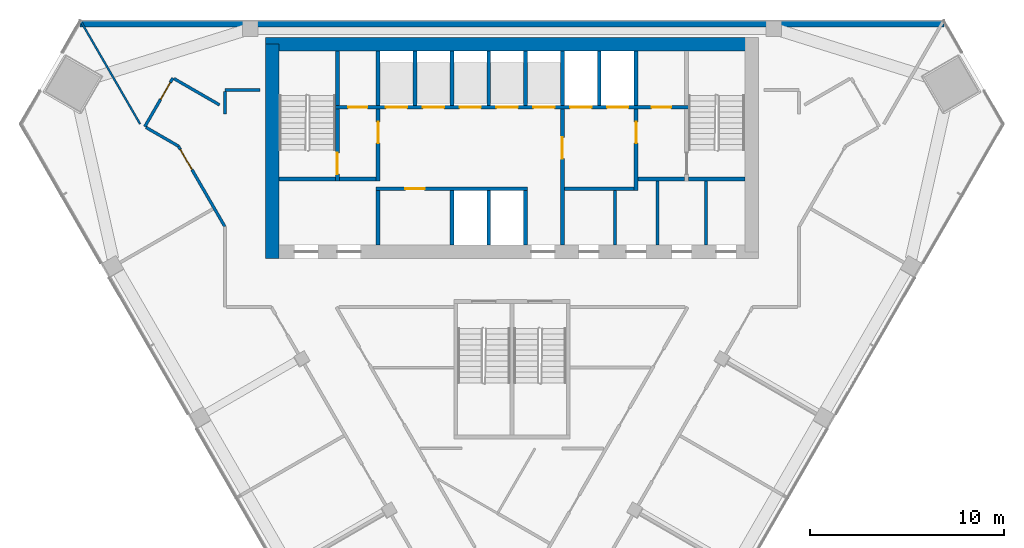
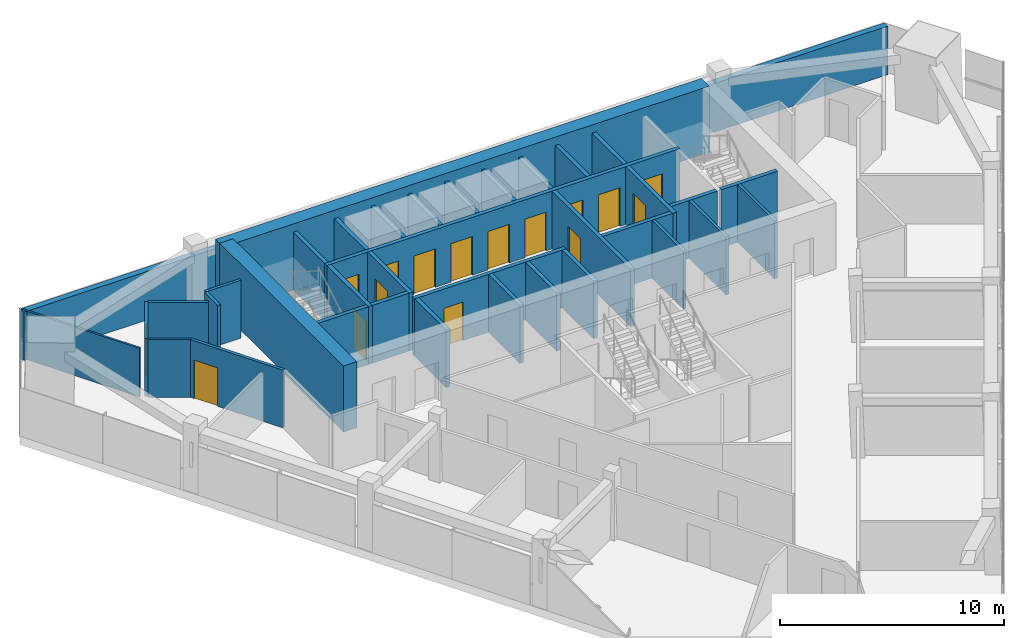
# One storey, part 9 of 12: 37 walls, 16 doors, 16 openings.
"""IFC4 building model written with IfcOpenShell, lengths in metres."""

from ifc_helpers import new_model, si_unit, direction, frame, frame_2d, origin, place, context, subcontext, project, spatial, rectangle, extrude, material, layer, layer_set, type_object, element, fill, save


model = new_model("IFC4")

# Units and contexts
model_context = context("Model", 3, precision=1e-05, world=origin(), true_north=direction((0.0, 1.0)))
body_context = subcontext(model_context, "Body", "Model", "MODEL_VIEW")
ifc_project = project(units=[si_unit("LENGTHUNIT", "METRE"), si_unit("AREAUNIT", "SQUARE_METRE"), si_unit("VOLUMEUNIT", "CUBIC_METRE"), si_unit("PLANEANGLEUNIT", "RADIAN"), si_unit("MASSUNIT", "GRAM", prefix="KILO")], contexts=[model_context])

# Site, building, storey
site_placement = place(None, origin())
site = spatial("IfcSite", under=ifc_project, at=site_placement, CompositionType="ELEMENT")
building_placement = place(site_placement, origin())
building = spatial("IfcBuilding", under=site, at=building_placement, Name="Altiplano Prism Tower", CompositionType="ELEMENT")
storey_placement = place(building_placement, frame((0.0, 0.0, 205.199951171875)))
storey = spatial("IfcBuildingStorey", under=building, at=storey_placement, Name="L53", CompositionType="ELEMENT", Elevation=205.199951171875)

# Walls
ifc_material_1 = material(Name="Concrete C60/75", Category="concrete")
ifc_layer_1 = layer(ifc_material_1, 0.699951171875)
ifc_layer_set_1 = layer_set([ifc_layer_1], Name="Concrete C60/75")
wall_type_1 = type_object("IfcWallType", Name="Core wall 700", PredefinedType="SHEAR", material=ifc_layer_set_1)
wall_1_placement = place(storey_placement, frame((97.35009765625, 103.75, 0.0), z_axis=(0.0, 0.0, 1.0), x_axis=(-1.0, 0.0, 0.0)))
element("IfcWall", 1, at=wall_1_placement, inside=storey, type_object=wall_type_1, Name="Core wall N L53", PredefinedType="SHEAR", context=body_context, shape_type="SweptSolid", body=[
    extrude(rectangle(XDim=25.050048828125, YDim=0.699951171875, at=frame_2d((12.52490234375, 0.0))), origin(), (0.0, 0.0, 1.0), 3.60009765625),
])
wall_2_placement = place(storey_placement, frame((72.64990234375, 103.75, 0.0), z_axis=(0.0, 0.0, 1.0), x_axis=(0.0, -1.0, 0.0)))
element("IfcWall", 2, at=wall_2_placement, inside=storey, type_object=wall_type_1, Name="Core wall W L53", PredefinedType="SHEAR", context=body_context, shape_type="SweptSolid", body=[
    extrude(rectangle(XDim=11.050048828125, YDim=0.699951171875, at=frame_2d((5.52490234375, 0.0))), origin(), (0.0, 0.0, 1.0), 3.60009765625),
])
ifc_material_2 = material(Name="Plasterboard on steel stud", Category="steel")
ifc_layer_2 = layer(ifc_material_2, 0.10009765625)
ifc_layer_set_2 = layer_set([ifc_layer_2], Name="Plasterboard on steel stud")
wall_type_2 = type_object("IfcWallType", Name="Partition 100 wet", PredefinedType="PARTITIONING", material=ifc_layer_set_2)
wall_3_placement = place(storey_placement, frame((65.830810546875, 99.639404296875, 0.0), z_axis=(0.0, 0.0, 1.0), x_axis=(-0.499994988479, 0.866028297168, 0.0)))
element("IfcWall", 3, at=wall_3_placement, inside=storey, type_object=wall_type_2, Name="Partition P03 L53 031", PredefinedType="PARTITIONING", context=body_context, shape_type="SweptSolid", body=[
    extrude(rectangle(XDim=6.07421875, YDim=0.10009765625, at=frame_2d((3.037109375, 0.0))), origin(), (0.0, 0.0, 1.0), 2.650146484375),
])
ifc_layer_3 = layer(ifc_material_2, 0.14990234375)
ifc_layer_set_3 = layer_set([ifc_layer_3], Name="Plasterboard on steel stud")
wall_type_3 = type_object("IfcWallType", Name="Partition 150 corridor", PredefinedType="PARTITIONING", material=ifc_layer_set_3)
wall_4_placement = place(storey_placement, frame((66.13720703125, 99.46240234375, 0.0), z_axis=(0.0, 0.0, 1.0), x_axis=(0.866033512162, -0.499985955615, 0.0)))
element("IfcWall", 4, at=wall_4_placement, inside=storey, type_object=wall_type_3, Name="Partition P06 L53 002", PredefinedType="PARTITIONING", context=body_context, shape_type="SweptSolid", body=[
    extrude(rectangle(XDim=1.9248046875, YDim=0.14990234375, at=frame_2d((0.96240234375, 0.0))), origin(), (0.0, 0.0, 1.0), 3.150146484375),
])

# Wall, opening, door
wall_5_placement = place(storey_placement, frame((67.80419921875, 98.5, 0.0), z_axis=(0.0, 0.0, 1.0), x_axis=(0.499991496398, -0.866030313286, 0.0)))
wall_5 = element("IfcWall", 5, at=wall_5_placement, inside=storey, type_object=wall_type_3, Name="Partition P06 L53 003", PredefinedType="PARTITIONING", context=body_context, shape_type="SweptSolid", body=[
    extrude(rectangle(XDim=4.79150390625, YDim=0.14990234375, at=frame_2d((2.395751953125, 0.0))), origin(), (0.0, 0.0, 1.0), 3.150146484375),
])
opening_1_placement = place(wall_5_placement, frame((0.199951171875, 0.0, 0.0)))
opening_1 = element("IfcOpeningElement", 6, at=opening_1_placement, cuts=wall_5, Name="Opening D1833", PredefinedType="OPENING", context=body_context, shape_type="SweptSolid", body=[
    extrude(rectangle(XDim=1.199951171875, YDim=2.10009765625, at=frame_2d((0.60009765625, 1.050048828125))), frame((0.0, 0.08544921875, 0.0), z_axis=(0.0, -1.0, 0.0), x_axis=(1.0, 0.0, 0.0)), (0.0, 0.0, 1.0), 0.1708984375),
])
ifc_material_3 = material(Name="Timber", Category="wood")
door_type_1 = type_object("IfcDoorType", Name="Shared room door 1200 x 2100", OperationType="NOTDEFINED", PredefinedType="NOTDEFINED", material=ifc_material_3)
door_1_placement = place(opening_1_placement, origin())
door_1 = element("IfcDoor", 7, at=door_1_placement, inside=storey, type_object=door_type_1, Name="Door D1833", OperationType="SINGLE_SWING_LEFT", OverallHeight=2.10009765625, OverallWidth=1.199951171875, PredefinedType="NOTDEFINED", context=body_context, shape_type="SweptSolid", body=[
    extrude(rectangle(XDim=1.199951171875, YDim=2.10009765625, at=frame_2d((0.60009765625, 1.050048828125))), frame((0.0, 0.02490234375, 0.0), z_axis=(0.0, -1.0, 0.0), x_axis=(1.0, 0.0, 0.0)), (0.0, 0.0, 1.0), 0.050048828125),
])
fill(opening_1, door_1)

# Walls
wall_6_placement = place(storey_placement, frame((72.0, 101.39990234375, 0.0), z_axis=(0.0, 0.0, 1.0), x_axis=(-1.0, 0.0, 0.0)))
element("IfcWall", 8, at=wall_6_placement, inside=storey, type_object=wall_type_3, Name="Partition P06 L53 012", PredefinedType="PARTITIONING", context=body_context, shape_type="SweptSolid", body=[
    extrude(rectangle(XDim=1.800048828125, YDim=0.14990234375, at=frame_2d((0.89990234375, 0.0))), origin(), (0.0, 0.0, 1.0), 3.150146484375),
])
wall_7_placement = place(storey_placement, frame((70.199951171875, 101.324951171875, 0.0), z_axis=(0.0, 0.0, 1.0), x_axis=(0.0, -1.0, 0.0)))
element("IfcWall", 9, at=wall_7_placement, inside=storey, type_object=wall_type_3, Name="Partition P06 L53 013", PredefinedType="PARTITIONING", context=body_context, shape_type="SweptSolid", body=[
    extrude(rectangle(XDim=1.174560546875, YDim=0.14990234375, at=frame_2d((0.58740234375, 0.0))), origin(), (0.0, 0.0, 1.0), 3.150146484375),
])
wall_8_placement = place(storey_placement, frame((69.92724609375, 100.623046875, 0.0), z_axis=(0.0, 0.0, 1.0), x_axis=(-0.866060705498, 0.499938850654, 0.0)))
element("IfcWall", 10, at=wall_8_placement, inside=storey, type_object=wall_type_3, Name="Partition P06 L53 014", PredefinedType="PARTITIONING", context=body_context, shape_type="SweptSolid", body=[
    extrude(rectangle(XDim=2.701904296875, YDim=0.14990234375, at=frame_2d((1.35107421875, 0.0))), origin(), (0.0, 0.0, 1.0), 3.150146484375),
])

# Wall, opening, door
wall_9_placement = place(storey_placement, frame((67.522216796875, 102.011474609375, 0.0), z_axis=(0.0, 0.0, 1.0), x_axis=(-0.499987231761, -0.866032775405, 0.0)))
wall_9 = element("IfcWall", 11, at=wall_9_placement, inside=storey, type_object=wall_type_3, Name="Partition P06 L53 015", PredefinedType="PARTITIONING", context=body_context, shape_type="SweptSolid", body=[
    extrude(rectangle(XDim=2.89990234375, YDim=0.14990234375, at=frame_2d((1.449951171875, 0.0))), origin(), (0.0, 0.0, 1.0), 3.150146484375),
])
opening_2_placement = place(wall_9_placement, frame((0.26904296875, 0.0, 0.0)))
opening_2 = element("IfcOpeningElement", 12, at=opening_2_placement, cuts=wall_9, Name="Opening D1844", PredefinedType="OPENING", context=body_context, shape_type="SweptSolid", body=[
    extrude(rectangle(XDim=1.0, YDim=2.10009765625, at=frame_2d((0.5, 1.050048828125))), frame((0.0, 0.08544921875, 0.0), z_axis=(0.0, -1.0, 0.0), x_axis=(1.0, 0.0, 0.0)), (0.0, 0.0, 1.0), 0.1708984375),
])
door_type_2 = type_object("IfcDoorType", Name="Room door 1000 x 2100", OperationType="NOTDEFINED", PredefinedType="NOTDEFINED", material=ifc_material_3)
door_2_placement = place(opening_2_placement, origin())
door_2 = element("IfcDoor", 13, at=door_2_placement, inside=storey, type_object=door_type_2, Name="Door D1844", OperationType="SINGLE_SWING_LEFT", OverallHeight=2.10009765625, OverallWidth=1.0, PredefinedType="NOTDEFINED", context=body_context, shape_type="SweptSolid", body=[
    extrude(rectangle(XDim=1.0, YDim=2.10009765625, at=frame_2d((0.5, 1.050048828125))), frame((0.0, 0.02490234375, 0.0), z_axis=(0.0, -1.0, 0.0), x_axis=(1.0, 0.0, 0.0)), (0.0, 0.0, 1.0), 0.050048828125),
])
fill(opening_2, door_2)

# Walls
ifc_material_4 = material(Name="Fire-rated gypsum board partition")
ifc_layer_4 = layer(ifc_material_4, 0.14990234375)
ifc_layer_set_4 = layer_set([ifc_layer_4], Name="Fire-rated gypsum board partition")
wall_type_4 = type_object("IfcWallType", Name="Room partition 150", PredefinedType="PARTITIONING", material=ifc_layer_set_4)
wall_10_placement = place(storey_placement, frame((90.300048828125, 93.39990234375, 0.0), z_axis=(0.0, 0.0, 1.0), x_axis=(0.0, 1.0, 0.0)))
element("IfcWall", 14, at=wall_10_placement, inside=storey, type_object=wall_type_4, Name="Room partition L53", PredefinedType="PARTITIONING", context=body_context, shape_type="SweptSolid", body=[
    extrude(rectangle(XDim=2.800048828125, YDim=0.14990234375, at=frame_2d((1.39990234375, 0.0))), origin(), (0.0, 0.0, 1.0), 3.150146484375),
])
for number, where, z_axis, x_axis, name in (
    (15, (92.5, 93.39990234375, 0.0), (0.0, 0.0, 1.0), (0.0, 1.0, 0.0), "Room partition L53"),
    (16, (95.0, 93.39990234375, 0.0), (0.0, 0.0, 1.0), (0.0, 1.0, 0.0), "Room partition L53"),
):
    element("IfcWall", number, at=place(storey_placement, frame(where, z_axis=z_axis, x_axis=x_axis)), inside=storey, type_object=wall_type_4, Name=name, PredefinedType="PARTITIONING", context=body_context, shape_type="SweptSolid", body=[
        extrude(rectangle(XDim=3.300048828125, YDim=0.14990234375, at=frame_2d((1.64990234375, 0.0))), origin(), (0.0, 0.0, 1.0), 3.150146484375),
    ])
ifc_layer_5 = layer(ifc_material_1, 0.199951171875)
ifc_layer_set_5 = layer_set([ifc_layer_5], Name="Concrete C60/75")
wall_type_5 = type_object("IfcWallType", Name="Shaft wall 200", PredefinedType="SOLIDWALL", material=ifc_layer_set_5)
for number, where, z_axis, x_axis, name in (
    (17, (81.89990234375, 93.39990234375, 0.0), (0.0, 0.0, 1.0), (0.0, 1.0, 0.0), "Shaft wall L53"),
    (18, (83.800048828125, 93.39990234375, 0.0), (0.0, 0.0, 1.0), (0.0, 1.0, 0.0), "Shaft wall L53"),
    (19, (85.699951171875, 93.39990234375, 0.0), (0.0, 0.0, 1.0), (0.0, 1.0, 0.0), "Shaft wall L53"),
):
    element("IfcWall", number, at=place(storey_placement, frame(where, z_axis=z_axis, x_axis=x_axis)), inside=storey, type_object=wall_type_5, Name=name, PredefinedType="SOLIDWALL", context=body_context, shape_type="SweptSolid", body=[
        extrude(rectangle(XDim=2.800048828125, YDim=0.199951171875, at=frame_2d((1.39990234375, 0.0))), origin(), (0.0, 0.0, 1.0), 3.150146484375),
    ])

# Wall, opening, door
wall_11_placement = place(storey_placement, frame((78.0, 96.300048828125, 0.0), z_axis=(0.0, 0.0, 1.0), x_axis=(1.0, 0.0, 0.0)))
wall_11 = element("IfcWall", 20, at=wall_11_placement, inside=storey, type_object=wall_type_5, Name="Shaft wall L53", PredefinedType="SOLIDWALL", context=body_context, shape_type="SweptSolid", body=[
    extrude(rectangle(XDim=7.800048828125, YDim=0.199951171875, at=frame_2d((3.89990234375, 0.0))), origin(), (0.0, 0.0, 1.0), 3.150146484375),
])
opening_3_placement = place(wall_11_placement, frame((1.5, 0.0, 0.0)))
opening_3 = element("IfcOpeningElement", 21, at=opening_3_placement, cuts=wall_11, Name="Opening D3326", PredefinedType="OPENING", context=body_context, shape_type="SweptSolid", body=[
    extrude(rectangle(XDim=1.0, YDim=2.10009765625, at=frame_2d((0.5, 1.050048828125))), frame((0.0, 0.1103515625, 0.0), z_axis=(0.0, -1.0, 0.0), x_axis=(1.0, 0.0, 0.0)), (0.0, 0.0, 1.0), 0.220947265625),
])
ifc_material_5 = material(Name="Fire-rated steel door", Category="steel")
door_type_3 = type_object("IfcDoorType", Name="Core room door 1000 x 2100", OperationType="NOTDEFINED", PredefinedType="NOTDEFINED", material=ifc_material_5)
door_3_placement = place(opening_3_placement, origin())
door_3 = element("IfcDoor", 22, at=door_3_placement, inside=storey, type_object=door_type_3, Name="Core room door D3326", OperationType="SINGLE_SWING_RIGHT", OverallHeight=2.10009765625, OverallWidth=1.0, PredefinedType="NOTDEFINED", context=body_context, shape_type="SweptSolid", body=[
    extrude(rectangle(XDim=1.0, YDim=2.10009765625, at=frame_2d((0.5, 1.050048828125))), frame((0.0, 0.02490234375, 0.0), z_axis=(0.0, -1.0, 0.0), x_axis=(1.0, 0.0, 0.0)), (0.0, 0.0, 1.0), 0.050048828125),
])
fill(opening_3, door_3)

# Walls
for number, where, z_axis, x_axis, name in (
    (23, (78.10009765625, 100.60009765625, 0.0), (0.0, 0.0, 1.0), (0.0, 1.0, 0.0), "Shaft wall L53"),
    (24, (80.0, 100.60009765625, 0.0), (0.0, 0.0, 1.0), (0.0, 1.0, 0.0), "Shaft wall L53"),
    (25, (81.89990234375, 100.60009765625, 0.0), (0.0, 0.0, 1.0), (0.0, 1.0, 0.0), "Shaft wall L53"),
    (26, (83.800048828125, 100.60009765625, 0.0), (0.0, 0.0, 1.0), (0.0, 1.0, 0.0), "Shaft wall L53"),
    (27, (85.699951171875, 100.60009765625, 0.0), (0.0, 0.0, 1.0), (0.0, 1.0, 0.0), "Shaft wall L53"),
    (28, (87.60009765625, 100.60009765625, 0.0), (0.0, 0.0, 1.0), (0.0, 1.0, 0.0), "Shaft wall L53"),
    (29, (89.5, 100.60009765625, 0.0), (0.0, 0.0, 1.0), (0.0, 1.0, 0.0), "Shaft wall L53"),
    (30, (91.39990234375, 100.60009765625, 0.0), (0.0, 0.0, 1.0), (0.0, 1.0, 0.0), "Shaft wall L53"),
):
    element("IfcWall", number, at=place(storey_placement, frame(where, z_axis=z_axis, x_axis=x_axis)), inside=storey, type_object=wall_type_5, Name=name, PredefinedType="SOLIDWALL", context=body_context, shape_type="SweptSolid", body=[
        extrude(rectangle(XDim=2.7998046875, YDim=0.199951171875, at=frame_2d((1.39990234375, 0.0))), origin(), (0.0, 0.0, 1.0), 3.150146484375),
    ])
ifc_layer_6 = layer(ifc_material_1, 0.199951171875)
ifc_layer_set_6 = layer_set([ifc_layer_6], Name="Concrete C60/75")
wall_type_6 = type_object("IfcWallType", Name="Stair wall 200", PredefinedType="SOLIDWALL", material=ifc_layer_set_6)
wall_12_placement = place(storey_placement, frame((73.0, 96.800048828125, 0.0), z_axis=(0.0, 0.0, 1.0), x_axis=(1.0, 0.0, 0.0)))
element("IfcWall", 31, at=wall_12_placement, inside=storey, type_object=wall_type_6, Name="Stair wall L53", PredefinedType="SOLIDWALL", context=body_context, shape_type="SweptSolid", body=[
    extrude(rectangle(XDim=2.89990234375, YDim=0.199951171875, at=frame_2d((1.449951171875, 0.0))), origin(), (0.0, 0.0, 1.0), 3.150146484375),
])

# Wall, opening, door
wall_13_placement = place(storey_placement, frame((76.0, 96.699951171875, 0.0), z_axis=(0.0, 0.0, 1.0), x_axis=(0.0, 1.0, 0.0)))
wall_13 = element("IfcWall", 32, at=wall_13_placement, inside=storey, type_object=wall_type_6, Name="Stair wall L53", PredefinedType="SOLIDWALL", context=body_context, shape_type="SweptSolid", body=[
    extrude(rectangle(XDim=3.699951171875, YDim=0.199951171875, at=frame_2d((1.85009765625, 0.0))), origin(), (0.0, 0.0, 1.0), 3.150146484375),
])
opening_4_placement = place(wall_13_placement, frame((0.35009765625, 0.0, 0.0)))
opening_4 = element("IfcOpeningElement", 33, at=opening_4_placement, cuts=wall_13, Name="Opening D3312", PredefinedType="OPENING", context=body_context, shape_type="SweptSolid", body=[
    extrude(rectangle(XDim=1.10009765625, YDim=2.10009765625, at=frame_2d((0.550048828125, 1.050048828125))), frame((0.0, 0.1103515625, 0.0), z_axis=(0.0, -1.0, 0.0), x_axis=(1.0, 0.0, 0.0)), (0.0, 0.0, 1.0), 0.220947265625),
])
door_type_4 = type_object("IfcDoorType", Name="Stair fire door 1100 x 2100", OperationType="NOTDEFINED", PredefinedType="NOTDEFINED", material=ifc_material_5)
door_4_placement = place(opening_4_placement, origin())
door_4 = element("IfcDoor", 34, at=door_4_placement, inside=storey, type_object=door_type_4, Name="Stair fire door D3312", OperationType="SINGLE_SWING_RIGHT", OverallHeight=2.10009765625, OverallWidth=1.10009765625, PredefinedType="NOTDEFINED", context=body_context, shape_type="SweptSolid", body=[
    extrude(rectangle(XDim=1.10009765625, YDim=2.10009765625, at=frame_2d((0.550048828125, 1.050048828125))), frame((0.0, 0.02490234375, 0.0), z_axis=(0.0, -1.0, 0.0), x_axis=(1.0, 0.0, 0.0)), (0.0, 0.0, 1.0), 0.050048828125),
])
fill(opening_4, door_4)

# Wall
wall_14_placement = place(storey_placement, frame((94.10009765625, 96.800048828125, 0.0), z_axis=(0.0, 0.0, 1.0), x_axis=(1.0, 0.0, 0.0)))
element("IfcWall", 35, at=wall_14_placement, inside=storey, type_object=wall_type_6, Name="Stair wall L53", PredefinedType="SOLIDWALL", context=body_context, shape_type="SweptSolid", body=[
    extrude(rectangle(XDim=2.89990234375, YDim=0.199951171875, at=frame_2d((1.449951171875, 0.0))), origin(), (0.0, 0.0, 1.0), 3.150146484375),
])

# Wall, openings, doors
wall_15_placement = place(storey_placement, frame((75.89990234375, 100.5, 0.0), z_axis=(0.0, 0.0, 1.0), x_axis=(1.0, 0.0, 0.0)))
wall_15 = element("IfcWall", 36, at=wall_15_placement, inside=storey, type_object=wall_type_6, Name="Stair wall L53", PredefinedType="SOLIDWALL", context=body_context, shape_type="SweptSolid", body=[
    extrude(rectangle(XDim=18.2001953125, YDim=0.199951171875, at=frame_2d((9.10009765625, 0.0))), origin(), (0.0, 0.0, 1.0), 3.150146484375),
])
opening_5_placement = place(wall_15_placement, frame((2.60009765625, 0.0, 0.0)))
opening_5 = element("IfcOpeningElement", 37, at=opening_5_placement, cuts=wall_15, Name="Opening LD-ML1-L53", PredefinedType="OPENING", context=body_context, shape_type="SweptSolid", body=[
    extrude(rectangle(XDim=1.10009765625, YDim=2.10009765625, at=frame_2d((0.550048828125, 1.050048828125))), frame((0.0, 0.1103515625, 0.0), z_axis=(0.0, -1.0, 0.0), x_axis=(1.0, 0.0, 0.0)), (0.0, 0.0, 1.0), 0.220947265625),
])
opening_6_placement = place(wall_15_placement, frame((4.5, 0.0, 0.0)))
opening_6 = element("IfcOpeningElement", 38, at=opening_6_placement, cuts=wall_15, Name="Opening LD-ML2-L53", PredefinedType="OPENING", context=body_context, shape_type="SweptSolid", body=[
    extrude(rectangle(XDim=1.10009765625, YDim=2.10009765625, at=frame_2d((0.550048828125, 1.050048828125))), frame((0.0, 0.1103515625, 0.0), z_axis=(0.0, -1.0, 0.0), x_axis=(1.0, 0.0, 0.0)), (0.0, 0.0, 1.0), 0.220947265625),
])
opening_7_placement = place(wall_15_placement, frame((6.39990234375, 0.0, 0.0)))
opening_7 = element("IfcOpeningElement", 39, at=opening_7_placement, cuts=wall_15, Name="Opening LD-ML3-L53", PredefinedType="OPENING", context=body_context, shape_type="SweptSolid", body=[
    extrude(rectangle(XDim=1.10009765625, YDim=2.10009765625, at=frame_2d((0.550048828125, 1.050048828125))), frame((0.0, 0.1103515625, 0.0), z_axis=(0.0, -1.0, 0.0), x_axis=(1.0, 0.0, 0.0)), (0.0, 0.0, 1.0), 0.220947265625),
])
opening_8_placement = place(wall_15_placement, frame((8.300048828125, 0.0, 0.0)))
opening_8 = element("IfcOpeningElement", 40, at=opening_8_placement, cuts=wall_15, Name="Opening LD-ML4-L53", PredefinedType="OPENING", context=body_context, shape_type="SweptSolid", body=[
    extrude(rectangle(XDim=1.10009765625, YDim=2.10009765625, at=frame_2d((0.550048828125, 1.050048828125))), frame((0.0, 0.1103515625, 0.0), z_axis=(0.0, -1.0, 0.0), x_axis=(1.0, 0.0, 0.0)), (0.0, 0.0, 1.0), 0.220947265625),
])
opening_9_placement = place(wall_15_placement, frame((10.199951171875, 0.0, 0.0)))
opening_9 = element("IfcOpeningElement", 41, at=opening_9_placement, cuts=wall_15, Name="Opening LD-ML5-L53", PredefinedType="OPENING", context=body_context, shape_type="SweptSolid", body=[
    extrude(rectangle(XDim=1.10009765625, YDim=2.10009765625, at=frame_2d((0.550048828125, 1.050048828125))), frame((0.0, 0.1103515625, 0.0), z_axis=(0.0, -1.0, 0.0), x_axis=(1.0, 0.0, 0.0)), (0.0, 0.0, 1.0), 0.220947265625),
])
opening_10_placement = place(wall_15_placement, frame((12.10009765625, 0.0, 0.0)))
opening_10 = element("IfcOpeningElement", 42, at=opening_10_placement, cuts=wall_15, Name="Opening LD-FF1-L53", PredefinedType="OPENING", context=body_context, shape_type="SweptSolid", body=[
    extrude(rectangle(XDim=1.10009765625, YDim=2.10009765625, at=frame_2d((0.550048828125, 1.050048828125))), frame((0.0, 0.1103515625, 0.0), z_axis=(0.0, -1.0, 0.0), x_axis=(1.0, 0.0, 0.0)), (0.0, 0.0, 1.0), 0.220947265625),
])
opening_11_placement = place(wall_15_placement, frame((14.0, 0.0, 0.0)))
opening_11 = element("IfcOpeningElement", 43, at=opening_11_placement, cuts=wall_15, Name="Opening LD-FF2-L53", PredefinedType="OPENING", context=body_context, shape_type="SweptSolid", body=[
    extrude(rectangle(XDim=1.10009765625, YDim=2.10009765625, at=frame_2d((0.550048828125, 1.050048828125))), frame((0.0, 0.1103515625, 0.0), z_axis=(0.0, -1.0, 0.0), x_axis=(1.0, 0.0, 0.0)), (0.0, 0.0, 1.0), 0.220947265625),
])
opening_12_placement = place(wall_15_placement, frame((0.64990234375, 0.0, 0.0)))
opening_12 = element("IfcOpeningElement", 44, at=opening_12_placement, cuts=wall_15, Name="Opening D3320", PredefinedType="OPENING", context=body_context, shape_type="SweptSolid", body=[
    extrude(rectangle(XDim=1.0, YDim=2.10009765625, at=frame_2d((0.5, 1.050048828125))), frame((0.0, 0.1103515625, 0.0), z_axis=(0.0, -1.0, 0.0), x_axis=(1.0, 0.0, 0.0)), (0.0, 0.0, 1.0), 0.220947265625),
])
opening_13_placement = place(wall_15_placement, frame((16.300048828125, 0.0, 0.0)))
opening_13 = element("IfcOpeningElement", 45, at=opening_13_placement, cuts=wall_15, Name="Opening D3321", PredefinedType="OPENING", context=body_context, shape_type="SweptSolid", body=[
    extrude(rectangle(XDim=1.0, YDim=2.10009765625, at=frame_2d((0.5, 1.050048828125))), frame((0.0, 0.1103515625, 0.0), z_axis=(0.0, -1.0, 0.0), x_axis=(1.0, 0.0, 0.0)), (0.0, 0.0, 1.0), 0.220947265625),
])
door_5_placement = place(opening_12_placement, origin())
door_5 = element("IfcDoor", 46, at=door_5_placement, inside=storey, type_object=door_type_3, Name="Core room door D3320", OperationType="SINGLE_SWING_LEFT", OverallHeight=2.10009765625, OverallWidth=1.0, PredefinedType="NOTDEFINED", context=body_context, shape_type="SweptSolid", body=[
    extrude(rectangle(XDim=1.0, YDim=2.10009765625, at=frame_2d((0.5, 1.050048828125))), frame((0.0, 0.02490234375, 0.0), z_axis=(0.0, -1.0, 0.0), x_axis=(1.0, 0.0, 0.0)), (0.0, 0.0, 1.0), 0.050048828125),
])
fill(opening_12, door_5)
door_6_placement = place(opening_13_placement, origin())
door_6 = element("IfcDoor", 47, at=door_6_placement, inside=storey, type_object=door_type_3, Name="Core room door D3321", OperationType="SINGLE_SWING_RIGHT", OverallHeight=2.10009765625, OverallWidth=1.0, PredefinedType="NOTDEFINED", context=body_context, shape_type="SweptSolid", body=[
    extrude(rectangle(XDim=1.0, YDim=2.10009765625, at=frame_2d((0.5, 1.050048828125))), frame((0.0, 0.02490234375, 0.0), z_axis=(0.0, -1.0, 0.0), x_axis=(1.0, 0.0, 0.0)), (0.0, 0.0, 1.0), 0.050048828125),
])
fill(opening_13, door_6)
ifc_material_6 = material(Name="Stainless steel landing door", Category="steel")
door_type_5 = type_object("IfcDoorType", Name="Landing door 1100 x 2100", OperationType="NOTDEFINED", PredefinedType="NOTDEFINED", material=ifc_material_6)
door_7_placement = place(opening_5_placement, origin())
door_7 = element("IfcDoor", 48, at=door_7_placement, inside=storey, type_object=door_type_5, Name="Landing doors ML1", OperationType="SLIDING_TO_RIGHT", OverallHeight=2.10009765625, OverallWidth=1.10009765625, PredefinedType="NOTDEFINED", context=body_context, shape_type="SweptSolid", body=[
    extrude(rectangle(XDim=1.10009765625, YDim=2.10009765625, at=frame_2d((0.550048828125, 1.050048828125))), frame((0.0, 0.02490234375, 0.0), z_axis=(0.0, -1.0, 0.0), x_axis=(1.0, 0.0, 0.0)), (0.0, 0.0, 1.0), 0.050048828125),
])
fill(opening_5, door_7)
door_8_placement = place(opening_6_placement, origin())
door_8 = element("IfcDoor", 49, at=door_8_placement, inside=storey, type_object=door_type_5, Name="Landing doors ML2", OperationType="SLIDING_TO_LEFT", OverallHeight=2.10009765625, OverallWidth=1.10009765625, PredefinedType="NOTDEFINED", context=body_context, shape_type="SweptSolid", body=[
    extrude(rectangle(XDim=1.10009765625, YDim=2.10009765625, at=frame_2d((0.550048828125, 1.050048828125))), frame((0.0, 0.02490234375, 0.0), z_axis=(0.0, -1.0, 0.0), x_axis=(1.0, 0.0, 0.0)), (0.0, 0.0, 1.0), 0.050048828125),
])
fill(opening_6, door_8)
door_9_placement = place(opening_7_placement, origin())
door_9 = element("IfcDoor", 50, at=door_9_placement, inside=storey, type_object=door_type_5, Name="Landing doors ML3", OperationType="SLIDING_TO_RIGHT", OverallHeight=2.10009765625, OverallWidth=1.10009765625, PredefinedType="NOTDEFINED", context=body_context, shape_type="SweptSolid", body=[
    extrude(rectangle(XDim=1.10009765625, YDim=2.10009765625, at=frame_2d((0.550048828125, 1.050048828125))), frame((0.0, 0.02490234375, 0.0), z_axis=(0.0, -1.0, 0.0), x_axis=(1.0, 0.0, 0.0)), (0.0, 0.0, 1.0), 0.050048828125),
])
fill(opening_7, door_9)
door_10_placement = place(opening_8_placement, origin())
door_10 = element("IfcDoor", 51, at=door_10_placement, inside=storey, type_object=door_type_5, Name="Landing doors ML4", OperationType="SLIDING_TO_LEFT", OverallHeight=2.10009765625, OverallWidth=1.10009765625, PredefinedType="NOTDEFINED", context=body_context, shape_type="SweptSolid", body=[
    extrude(rectangle(XDim=1.10009765625, YDim=2.10009765625, at=frame_2d((0.550048828125, 1.050048828125))), frame((0.0, 0.02490234375, 0.0), z_axis=(0.0, -1.0, 0.0), x_axis=(1.0, 0.0, 0.0)), (0.0, 0.0, 1.0), 0.050048828125),
])
fill(opening_8, door_10)
door_11_placement = place(opening_9_placement, origin())
door_11 = element("IfcDoor", 52, at=door_11_placement, inside=storey, type_object=door_type_5, Name="Landing doors ML5", OperationType="SLIDING_TO_RIGHT", OverallHeight=2.10009765625, OverallWidth=1.10009765625, PredefinedType="NOTDEFINED", context=body_context, shape_type="SweptSolid", body=[
    extrude(rectangle(XDim=1.10009765625, YDim=2.10009765625, at=frame_2d((0.550048828125, 1.050048828125))), frame((0.0, 0.02490234375, 0.0), z_axis=(0.0, -1.0, 0.0), x_axis=(1.0, 0.0, 0.0)), (0.0, 0.0, 1.0), 0.050048828125),
])
fill(opening_9, door_11)
door_12_placement = place(opening_10_placement, origin())
door_12 = element("IfcDoor", 53, at=door_12_placement, inside=storey, type_object=door_type_5, Name="Landing doors FF1", OperationType="SLIDING_TO_RIGHT", OverallHeight=2.10009765625, OverallWidth=1.10009765625, PredefinedType="NOTDEFINED", context=body_context, shape_type="SweptSolid", body=[
    extrude(rectangle(XDim=1.10009765625, YDim=2.10009765625, at=frame_2d((0.550048828125, 1.050048828125))), frame((0.0, 0.02490234375, 0.0), z_axis=(0.0, -1.0, 0.0), x_axis=(1.0, 0.0, 0.0)), (0.0, 0.0, 1.0), 0.050048828125),
])
fill(opening_10, door_12)
door_13_placement = place(opening_11_placement, origin())
door_13 = element("IfcDoor", 54, at=door_13_placement, inside=storey, type_object=door_type_5, Name="Landing doors FF2", OperationType="SLIDING_TO_LEFT", OverallHeight=2.10009765625, OverallWidth=1.10009765625, PredefinedType="NOTDEFINED", context=body_context, shape_type="SweptSolid", body=[
    extrude(rectangle(XDim=1.10009765625, YDim=2.10009765625, at=frame_2d((0.550048828125, 1.050048828125))), frame((0.0, 0.02490234375, 0.0), z_axis=(0.0, -1.0, 0.0), x_axis=(1.0, 0.0, 0.0)), (0.0, 0.0, 1.0), 0.050048828125),
])
fill(opening_11, door_13)

# Walls
wall_16_placement = place(storey_placement, frame((76.0, 100.60009765625, 0.0), z_axis=(0.0, 0.0, 1.0), x_axis=(0.0, 1.0, 0.0)))
element("IfcWall", 55, at=wall_16_placement, inside=storey, type_object=wall_type_6, Name="Stair wall L53", PredefinedType="SOLIDWALL", context=body_context, shape_type="SweptSolid", body=[
    extrude(rectangle(XDim=2.7998046875, YDim=0.199951171875, at=frame_2d((1.39990234375, 0.0))), origin(), (0.0, 0.0, 1.0), 3.150146484375),
])
ifc_material_7 = material(Name="Concrete C40", Category="concrete")
ifc_layer_7 = layer(ifc_material_7, 0.300048828125)
ifc_layer_set_7 = layer_set([ifc_layer_7], Name="Concrete C40")
wall_type_7 = type_object("IfcWallType", Name="Stone-clad external wall 300", PredefinedType="SOLIDWALL", material=ifc_layer_set_7)
wall_17_placement = place(storey_placement, frame((62.73583984375, 104.7900390625, 0.0), z_axis=(0.0, 0.0, 1.0), x_axis=(1.0, 0.0, 0.0)))
element("IfcWall", 56, at=wall_17_placement, inside=storey, type_object=wall_type_7, Name="External wall north face L53", PredefinedType="SOLIDWALL", context=body_context, shape_type="SweptSolid", body=[
    extrude(rectangle(XDim=44.5283203125, YDim=0.300048828125, at=frame_2d((22.26416015625, 0.0))), origin(), (0.0, 0.0, 1.0), 2.650146484375),
])
ifc_layer_8 = layer(ifc_material_1, 0.199951171875)
ifc_layer_set_8 = layer_set([ifc_layer_8], Name="Concrete C60/75")
wall_type_8 = type_object("IfcWallType", Name="Vestibule wall 200", PredefinedType="PARTITIONING", material=ifc_layer_set_8)
wall_18_placement = place(storey_placement, frame((78.10009765625, 93.39990234375, 0.0), z_axis=(0.0, 0.0, 1.0), x_axis=(0.0, 1.0, 0.0)))
element("IfcWall", 57, at=wall_18_placement, inside=storey, type_object=wall_type_8, Name="Vestibule wall L53", PredefinedType="PARTITIONING", context=body_context, shape_type="SweptSolid", body=[
    extrude(rectangle(XDim=2.800048828125, YDim=0.199951171875, at=frame_2d((1.39990234375, 0.0))), origin(), (0.0, 0.0, 1.0), 3.150146484375),
])

# Wall, opening, door
wall_19_placement = place(storey_placement, frame((87.60009765625, 93.39990234375, 0.0), z_axis=(0.0, 0.0, 1.0), x_axis=(0.0, 1.0, 0.0)))
wall_19 = element("IfcWall", 58, at=wall_19_placement, inside=storey, type_object=wall_type_8, Name="Vestibule wall L53", PredefinedType="PARTITIONING", context=body_context, shape_type="SweptSolid", body=[
    extrude(rectangle(XDim=7.0, YDim=0.199951171875, at=frame_2d((3.5, 0.0))), origin(), (0.0, 0.0, 1.0), 3.150146484375),
])
opening_14_placement = place(wall_19_placement, frame((4.449951171875, 0.0, 0.0)))
opening_14 = element("IfcOpeningElement", 59, at=opening_14_placement, cuts=wall_19, Name="Opening D3315", PredefinedType="OPENING", context=body_context, shape_type="SweptSolid", body=[
    extrude(rectangle(XDim=1.10009765625, YDim=2.10009765625, at=frame_2d((0.550048828125, 1.050048828125))), frame((0.0, 0.1103515625, 0.0), z_axis=(0.0, -1.0, 0.0), x_axis=(1.0, 0.0, 0.0)), (0.0, 0.0, 1.0), 0.220947265625),
])
door_type_6 = type_object("IfcDoorType", Name="Vestibule fire door 1100 x 2100", OperationType="NOTDEFINED", PredefinedType="NOTDEFINED", material=ifc_material_5)
door_14_placement = place(opening_14_placement, origin())
door_14 = element("IfcDoor", 60, at=door_14_placement, inside=storey, type_object=door_type_6, Name="Vestibule fire door D3315", OperationType="SINGLE_SWING_RIGHT", OverallHeight=2.10009765625, OverallWidth=1.10009765625, PredefinedType="NOTDEFINED", context=body_context, shape_type="SweptSolid", body=[
    extrude(rectangle(XDim=1.10009765625, YDim=2.10009765625, at=frame_2d((0.550048828125, 1.050048828125))), frame((0.0, 0.02490234375, 0.0), z_axis=(0.0, -1.0, 0.0), x_axis=(1.0, 0.0, 0.0)), (0.0, 0.0, 1.0), 0.050048828125),
])
fill(opening_14, door_14)

# Wall
wall_20_placement = place(storey_placement, frame((87.699951171875, 96.300048828125, 0.0), z_axis=(0.0, 0.0, 1.0), x_axis=(1.0, 0.0, 0.0)))
element("IfcWall", 61, at=wall_20_placement, inside=storey, type_object=wall_type_8, Name="Vestibule wall L53", PredefinedType="PARTITIONING", context=body_context, shape_type="SweptSolid", body=[
    extrude(rectangle(XDim=3.60009765625, YDim=0.199951171875, at=frame_2d((1.800048828125, 0.0))), origin(), (0.0, 0.0, 1.0), 3.150146484375),
])

# Wall, opening, door
wall_21_placement = place(storey_placement, frame((91.39990234375, 96.199951171875, 0.0), z_axis=(0.0, 0.0, 1.0), x_axis=(0.0, 1.0, 0.0)))
wall_21 = element("IfcWall", 62, at=wall_21_placement, inside=storey, type_object=wall_type_8, Name="Vestibule wall L53", PredefinedType="PARTITIONING", context=body_context, shape_type="SweptSolid", body=[
    extrude(rectangle(XDim=4.199951171875, YDim=0.199951171875, at=frame_2d((2.10009765625, 0.0))), origin(), (0.0, 0.0, 1.0), 3.150146484375),
])
opening_15_placement = place(wall_21_placement, frame((2.449951171875, 0.0, 0.0)))
opening_15 = element("IfcOpeningElement", 63, at=opening_15_placement, cuts=wall_21, Name="Opening D3316", PredefinedType="OPENING", context=body_context, shape_type="SweptSolid", body=[
    extrude(rectangle(XDim=1.10009765625, YDim=2.10009765625, at=frame_2d((0.550048828125, 1.050048828125))), frame((0.0, 0.1103515625, 0.0), z_axis=(0.0, -1.0, 0.0), x_axis=(1.0, 0.0, 0.0)), (0.0, 0.0, 1.0), 0.220947265625),
])
door_15_placement = place(opening_15_placement, origin())
door_15 = element("IfcDoor", 64, at=door_15_placement, inside=storey, type_object=door_type_6, Name="Vestibule fire door D3316", OperationType="SINGLE_SWING_LEFT", OverallHeight=2.10009765625, OverallWidth=1.10009765625, PredefinedType="NOTDEFINED", context=body_context, shape_type="SweptSolid", body=[
    extrude(rectangle(XDim=1.10009765625, YDim=2.10009765625, at=frame_2d((0.550048828125, 1.050048828125))), frame((0.0, 0.02490234375, 0.0), z_axis=(0.0, -1.0, 0.0), x_axis=(1.0, 0.0, 0.0)), (0.0, 0.0, 1.0), 0.050048828125),
])
fill(opening_15, door_15)

# Wall
wall_22_placement = place(storey_placement, frame((76.10009765625, 96.800048828125, 0.0), z_axis=(0.0, 0.0, 1.0), x_axis=(1.0, 0.0, 0.0)))
element("IfcWall", 65, at=wall_22_placement, inside=storey, type_object=wall_type_8, Name="Vestibule wall L53", PredefinedType="PARTITIONING", context=body_context, shape_type="SweptSolid", body=[
    extrude(rectangle(XDim=1.89990234375, YDim=0.199951171875, at=frame_2d((0.949951171875, 0.0))), origin(), (0.0, 0.0, 1.0), 3.150146484375),
])

# Wall, opening, door
wall_23_placement = place(storey_placement, frame((78.10009765625, 96.699951171875, 0.0), z_axis=(0.0, 0.0, 1.0), x_axis=(0.0, 1.0, 0.0)))
wall_23 = element("IfcWall", 66, at=wall_23_placement, inside=storey, type_object=wall_type_8, Name="Vestibule wall L53", PredefinedType="PARTITIONING", context=body_context, shape_type="SweptSolid", body=[
    extrude(rectangle(XDim=3.699951171875, YDim=0.199951171875, at=frame_2d((1.85009765625, 0.0))), origin(), (0.0, 0.0, 1.0), 3.150146484375),
])
opening_16_placement = place(wall_23_placement, frame((1.949951171875, 0.0, 0.0)))
opening_16 = element("IfcOpeningElement", 67, at=opening_16_placement, cuts=wall_23, Name="Opening D3314", PredefinedType="OPENING", context=body_context, shape_type="SweptSolid", body=[
    extrude(rectangle(XDim=1.10009765625, YDim=2.10009765625, at=frame_2d((0.550048828125, 1.050048828125))), frame((0.0, 0.1103515625, 0.0), z_axis=(0.0, -1.0, 0.0), x_axis=(1.0, 0.0, 0.0)), (0.0, 0.0, 1.0), 0.220947265625),
])
door_16_placement = place(opening_16_placement, origin())
door_16 = element("IfcDoor", 68, at=door_16_placement, inside=storey, type_object=door_type_6, Name="Vestibule fire door D3314", OperationType="SINGLE_SWING_LEFT", OverallHeight=2.10009765625, OverallWidth=1.10009765625, PredefinedType="NOTDEFINED", context=body_context, shape_type="SweptSolid", body=[
    extrude(rectangle(XDim=1.10009765625, YDim=2.10009765625, at=frame_2d((0.550048828125, 1.050048828125))), frame((0.0, 0.02490234375, 0.0), z_axis=(0.0, -1.0, 0.0), x_axis=(1.0, 0.0, 0.0)), (0.0, 0.0, 1.0), 0.050048828125),
])
fill(opening_16, door_16)

# Wall
wall_24_placement = place(storey_placement, frame((91.5, 96.800048828125, 0.0), z_axis=(0.0, 0.0, 1.0), x_axis=(1.0, 0.0, 0.0)))
element("IfcWall", 69, at=wall_24_placement, inside=storey, type_object=wall_type_8, Name="Vestibule wall L53", PredefinedType="PARTITIONING", context=body_context, shape_type="SweptSolid", body=[
    extrude(rectangle(XDim=2.39990234375, YDim=0.199951171875, at=frame_2d((1.199951171875, 0.0))), origin(), (0.0, 0.0, 1.0), 3.150146484375),
])

save(model, "model.ifc")
